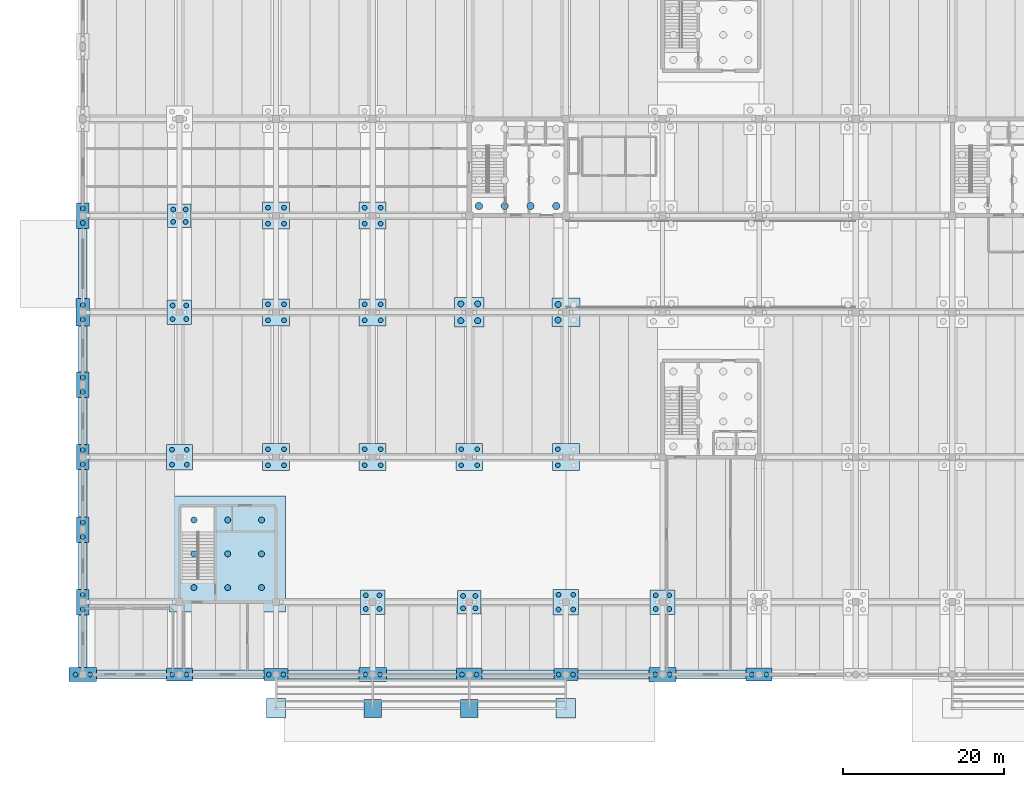
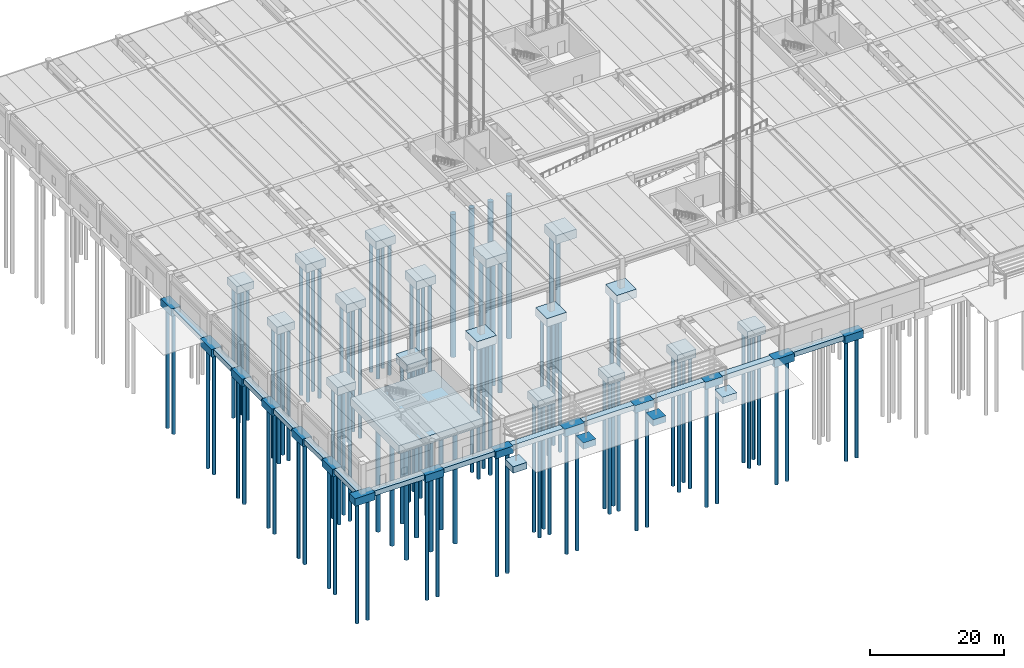
# One storey, part 1 of 59: 105 piles, 49 footings.
"""IFC4 building model written with IfcOpenShell, lengths in metres."""

import ifcopenshell
import ifcopenshell.guid

model = None  # the IFC model being written
_history = None  # IfcOwnerHistory: only IFC2X3 demands one
_inside = {}  # id of a spatial element -> (the spatial element, [elements in it])
_under = {}  # id of a project, library or spatial element -> (it, [spatial elements below it])
_declared = {}  # id of a project -> (the project, [libraries it declares])
_typed = {}  # id of a type object -> (the type object, [elements of that type])
_made_of = {}  # id of a material, layer set ... -> (it, [elements and type objects made of it])


def new_model(schema):
    """Start an empty IFC model of exactly this schema.

    Asked for "IFC4X3", IfcOpenShell would pick the latest addendum, in which some entities
    have other attributes; the version numbers below select the first issue.
    IFC2X3 requires an IfcOwnerHistory on every rooted entity: one is made here for all.
    """
    global model, _history
    if schema == "IFC4X3":
        model = ifcopenshell.file(schema_version=(4, 3, 0, 0))
    else:
        model = ifcopenshell.file(schema=schema)
    _inside.clear()
    _under.clear()
    _declared.clear()
    _typed.clear()
    _made_of.clear()
    _history = None
    if model.schema == "IFC2X3":
        org = make("IfcOrganization", Name="unknown")
        user = make(
            "IfcPersonAndOrganization",
            ThePerson=make("IfcPerson", FamilyName="unknown"),
            TheOrganization=org,
        )
        app = make(
            "IfcApplication",
            ApplicationDeveloper=org,
            Version="unknown",
            ApplicationFullName="unknown",
            ApplicationIdentifier="unknown",
        )
        _history = make(
            "IfcOwnerHistory",
            OwningUser=user,
            OwningApplication=app,
            ChangeAction="ADDED",
            CreationDate=0,
        )
    return model


def make(cls, **values):
    """One entity of the class cls with the attributes given. An attribute that is None is left unset."""
    return model.create_entity(
        cls, **{name: value for name, value in values.items() if value is not None}
    )


def rooted(cls, **values):
    """An entity with a GlobalId (a new one), such as an element, a storey or a relation."""
    return make(cls, GlobalId=ifcopenshell.guid.new(), OwnerHistory=_history, **values)


def si_unit(unit_type, name, prefix=None):
    """IfcSIUnit, for example si_unit("LENGTHUNIT", "METRE", prefix="MILLI")."""
    return make("IfcSIUnit", UnitType=unit_type, Prefix=prefix, Name=name)


def assignment(units):
    """IfcUnitAssignment: the units of a project."""
    return None if units is None else make("IfcUnitAssignment", Units=units)


def point(xyz):
    """IfcCartesianPoint."""
    return None if xyz is None else make("IfcCartesianPoint", Coordinates=xyz)


def direction(xyz):
    """IfcDirection."""
    return None if xyz is None else make("IfcDirection", DirectionRatios=xyz)


def frame(location, z_axis=None, x_axis=None):
    """IfcAxis2Placement3D, a coordinate frame: its origin and axes. An axis left out is left unset."""
    return make(
        "IfcAxis2Placement3D",
        Location=point(location),
        Axis=direction(z_axis),
        RefDirection=direction(x_axis),
    )


def frame_2d(location, x_axis=None):
    """IfcAxis2Placement2D, a coordinate frame in the plane: its origin and x axis."""
    return make(
        "IfcAxis2Placement2D", Location=point(location), RefDirection=direction(x_axis)
    )


def origin():
    """The frame at (0, 0, 0) with its axes left unset."""
    return frame((0.0, 0.0, 0.0))


def origin_2d():
    """The frame at (0, 0) in the plane with its x axis left unset."""
    return frame_2d((0.0, 0.0))


def place(relative_to, where):
    """IfcLocalPlacement: puts the frame where relative to a parent placement (None: the world)."""
    return make(
        "IfcLocalPlacement", PlacementRelTo=relative_to, RelativePlacement=where
    )


def context(
    kind, dimensions, precision=None, world=None, true_north=None, identifier=None
):
    """IfcGeometricRepresentationContext, for example the 3D "Model" context."""
    return make(
        "IfcGeometricRepresentationContext",
        ContextIdentifier=identifier,
        ContextType=kind,
        CoordinateSpaceDimension=dimensions,
        Precision=precision,
        WorldCoordinateSystem=world,
        TrueNorth=true_north,
    )


def subcontext(parent, identifier, kind, view, scale=None):
    """IfcGeometricRepresentationSubContext, for example "Body" below "Model"."""
    return make(
        "IfcGeometricRepresentationSubContext",
        ContextIdentifier=identifier,
        ContextType=kind,
        ParentContext=parent,
        TargetScale=scale,
        TargetView=view,
    )


def project(units=None, contexts=None):
    """IfcProject with its units and contexts."""
    return rooted(
        "IfcProject",
        Name="project",
        RepresentationContexts=contexts,
        UnitsInContext=assignment(units),
    )


def spatial(cls, under=None, at=None, **own):
    """A site, building, storey or space (cls), placed at a placement, below another one or the project."""
    s = rooted(cls, ObjectPlacement=at, **own)
    if under is not None:
        _under.setdefault(under.id(), (under, []))[1].append(s)
    return s


def profile(cls, at=None, kind="AREA", **sizes):
    """A parametric profile (cls). Its sizes go by their IFC names, for example OverallWidth=200.0."""
    return make(cls, ProfileType=kind, Position=at, **sizes)


def rectangle(**sizes):
    """IfcRectangleProfileDef."""
    return profile("IfcRectangleProfileDef", **sizes)


def circle(**sizes):
    """IfcCircleProfileDef."""
    return profile("IfcCircleProfileDef", **sizes)


def extrude(swept, where, along, depth):
    """IfcExtrudedAreaSolid: the profile swept, set in the frame where, extruded along a direction by depth."""
    return make(
        "IfcExtrudedAreaSolid",
        SweptArea=swept,
        Position=where,
        ExtrudedDirection=direction(along),
        Depth=depth,
    )


def shape(context_of_items, identifier, shape_type, items):
    """IfcShapeRepresentation: the items that make up one representation, for example the "Body"."""
    return make(
        "IfcShapeRepresentation",
        ContextOfItems=context_of_items,
        RepresentationIdentifier=identifier,
        RepresentationType=shape_type,
        Items=items,
    )


def material(Name=None, Category=None):
    """IfcMaterial."""
    return make("IfcMaterial", Name=Name, Category=Category)


def material_profile(
    of_material, cross_section, Name=None, Category=None, Priority=None
):
    """IfcMaterialProfile: a cross section and its material."""
    return make(
        "IfcMaterialProfile",
        Name=Name,
        Material=of_material,
        Profile=cross_section,
        Priority=Priority,
        Category=Category,
    )


def profile_set(profiles, Name=None, composite=None):
    """IfcMaterialProfileSet."""
    return make(
        "IfcMaterialProfileSet",
        Name=Name,
        MaterialProfiles=profiles,
        CompositeProfile=composite,
    )


def made_of(thing, what):
    """Note that an element or type object is made of a material, layer set ...; save() writes the relation."""
    if what is not None:
        _made_of.setdefault(what.id(), (what, []))[1].append(thing)
    return thing


def type_object(cls, material=None, **own):
    """A type object (cls), such as IfcWallType, which elements share."""
    return made_of(rooted(cls, **own), material)


def element(
    cls,
    number,
    at=None,
    inside=None,
    cuts=None,
    type_object=None,
    material=None,
    context=None,
    identifier="Body",
    shape_type=None,
    held_by="IfcProductDefinitionShape",
    body=None,
    shapes=None,
    **own,
):
    """One element of the class cls, such as IfcWall. Its Tag is "e" and its number.

    at: its placement. inside: the storey or other place that contains it. cuts: it is an
    opening in that element (IfcRelVoidsElement). A single representation is given by context,
    identifier, shape_type and body (its items); several are given by shapes. held_by: the class
    of the entity that holds the representations. save() writes the other relations.
    """
    e = rooted(cls, Tag="e%d" % number, ObjectPlacement=at, **own)
    if body is not None:
        shapes = [shape(context, identifier, shape_type, body)]
    if shapes is not None:
        e.Representation = make(held_by, Representations=shapes)
    if inside is not None:
        _inside.setdefault(inside.id(), (inside, []))[1].append(e)
    if cuts is not None:
        rooted(
            "IfcRelVoidsElement", RelatingBuildingElement=cuts, RelatedOpeningElement=e
        )
    if type_object is not None:
        _typed.setdefault(type_object.id(), (type_object, []))[1].append(e)
    return made_of(e, material)


def aggregate(whole, parts):
    """IfcRelAggregates: a whole, such as a stair, and the parts it consists of."""
    return rooted("IfcRelAggregates", RelatingObject=whole, RelatedObjects=parts)


def save(model, path):
    """Write the relations noted so far, then the file.

    IfcRelAggregates (storeys below a building ...), IfcRelContainedInSpatialStructure (elements
    in a storey), IfcRelDefinesByType, IfcRelAssociatesMaterial and IfcRelDeclares: one each for
    every whole, place, type object, material and project.
    """
    for whole, parts in _under.values():
        aggregate(whole, parts)
    for where, things in _inside.values():
        rooted(
            "IfcRelContainedInSpatialStructure",
            RelatedElements=things,
            RelatingStructure=where,
        )
    for kind, things in _typed.values():
        rooted("IfcRelDefinesByType", RelatedObjects=things, RelatingType=kind)
    for what, things in _made_of.values():
        rooted("IfcRelAssociatesMaterial", RelatedObjects=things, RelatingMaterial=what)
    for by, libraries in _declared.values():
        rooted("IfcRelDeclares", RelatingContext=by, RelatedDefinitions=libraries)
    model.write(path)


model = new_model("IFC4")

# Units and contexts
model_context = context("Model", 3, precision=1e-05, world=origin(), true_north=direction((0.0, 1.0)))
body_context = subcontext(model_context, "Body", "Model", "MODEL_VIEW")
ifc_project = project(units=[si_unit("LENGTHUNIT", "METRE"), si_unit("AREAUNIT", "SQUARE_METRE"), si_unit("VOLUMEUNIT", "CUBIC_METRE"), si_unit("PLANEANGLEUNIT", "RADIAN"), si_unit("MASSUNIT", "GRAM", prefix="KILO")], contexts=[model_context])

# Site, building, storey
site_placement = place(None, origin())
site = spatial("IfcSite", under=ifc_project, at=site_placement, CompositionType="ELEMENT")
building_placement = place(site_placement, origin())
building = spatial("IfcBuilding", under=site, at=building_placement, Name="Girod Span Mobility Hub", CompositionType="ELEMENT")
storey_placement = place(building_placement, origin())
storey = spatial("IfcBuildingStorey", under=building, at=storey_placement, Name="L00", CompositionType="ELEMENT", Elevation=0.0)

# Footings
ifc_material_1 = material(Name="Concrete C40/50", Category="concrete")
footing_type_1 = type_object("IfcFootingType", Name="FT-MAT-1440", PredefinedType="PAD_FOOTING", material=ifc_material_1)
footing_1_placement = place(storey_placement, frame((18.0, 15.0, -1.5), z_axis=(0.0, 0.0, 1.0), x_axis=(1.0, 0.0, 0.0)))
element("IfcFooting", 1, at=footing_1_placement, inside=storey, type_object=footing_type_1, Name="Core C5 Mat Foundation", PredefinedType="PAD_FOOTING", context=body_context, shape_type="SweptSolid", body=[
    extrude(rectangle(XDim=14.39990234375, YDim=14.39990234375, at=origin_2d()), origin(), (0.0, 0.0, 1.0), 1.5),
])
ifc_material_2 = material(Name="Concrete C40/50", Category="concrete")
footing_type_2 = type_object("IfcFootingType", Name="FT-PAD-2200", PredefinedType="PAD_FOOTING", material=ifc_material_2)
for number, where, z_axis, x_axis, name in (
    (2, (36.0, -4.199951171875, -1.14990234375), (0.0, 0.0, 1.0), (1.0, 0.0, 0.0), "Boulevard Canopy Pad Footing 2"),
    (3, (48.0, -4.199951171875, -1.14990234375), (0.0, 0.0, 1.0), (1.0, 0.0, 0.0), "Boulevard Canopy Pad Footing 3"),
):
    element("IfcFooting", number, at=place(storey_placement, frame(where, z_axis=z_axis, x_axis=x_axis)), inside=storey, type_object=footing_type_2, Name=name, PredefinedType="PAD_FOOTING", context=body_context, shape_type="SweptSolid", body=[
        extrude(rectangle(XDim=2.199951171875, YDim=2.199951171875, at=origin_2d()), origin(), (0.0, 0.0, 1.0), 1.14990234375),
    ])
ifc_material_3 = material(Name="Concrete C40/50", Category="concrete")
footing_type_3 = type_object("IfcFootingType", Name="FT-PAD-2400", PredefinedType="PAD_FOOTING", material=ifc_material_3)
for number, where, z_axis, x_axis, name in (
    (4, (24.0, -4.199951171875, -1.2001953125), (0.0, 0.0, 1.0), (1.0, 0.0, 0.0), "Boulevard Canopy Pad Footing 1"),
    (5, (60.0, -4.199951171875, -1.2001953125), (0.0, 0.0, 1.0), (1.0, 0.0, 0.0), "Boulevard Canopy Pad Footing 4"),
):
    element("IfcFooting", number, at=place(storey_placement, frame(where, z_axis=z_axis, x_axis=x_axis)), inside=storey, type_object=footing_type_3, Name=name, PredefinedType="PAD_FOOTING", context=body_context, shape_type="SweptSolid", body=[
        extrude(rectangle(XDim=2.39990234375, YDim=2.39990234375, at=origin_2d()), origin(), (0.0, 0.0, 1.0), 1.199951171875),
    ])
ifc_material_4 = material(Name="Concrete C40/50", Category="concrete")
footing_type_4 = type_object("IfcFootingType", Name="FT-PC2-1550X3100", PredefinedType="PILE_CAP", material=ifc_material_4)
footing_2_placement = place(storey_placement, frame((0.0, 27.0, -1.2998046875), z_axis=(0.0, 0.0, 1.0), x_axis=(1.0, 0.0, 0.0)))
element("IfcFooting", 6, at=footing_2_placement, inside=storey, type_object=footing_type_4, Name="Pile Cap 1C", PredefinedType="PILE_CAP", context=body_context, shape_type="SweptSolid", body=[
    extrude(rectangle(XDim=1.550048828125, YDim=3.10009765625, at=origin_2d()), origin(), (0.0, 0.0, 1.0), 1.300048828125),
])
ifc_material_5 = material(Name="Concrete C40/50", Category="concrete")
footing_type_5 = type_object("IfcFootingType", Name="FT-PC2-1600X3200", PredefinedType="PILE_CAP", material=ifc_material_5)
for number, where, z_axis, x_axis, name in (
    (7, (0.0, 9.0, -1.35009765625), (0.0, 0.0, 1.0), (1.0, 0.0, 0.0), "Pile Cap 1B"),
    (8, (0.0, 57.0, -1.35009765625), (0.0, 0.0, 1.0), (1.0, 0.0, 0.0), "Pile Cap 1E"),
    (9, (0.0, 18.0, -1.35009765625), (0.0, 0.0, 1.0), (1.0, 0.0, 0.0), "Pilaster Pile Cap PIL-W-18"),
    (10, (0.0, 36.0, -1.35009765625), (0.0, 0.0, 1.0), (1.0, 0.0, 0.0), "Pilaster Pile Cap PIL-W-36"),
):
    element("IfcFooting", number, at=place(storey_placement, frame(where, z_axis=z_axis, x_axis=x_axis)), inside=storey, type_object=footing_type_5, Name=name, PredefinedType="PILE_CAP", context=body_context, shape_type="SweptSolid", body=[
        extrude(rectangle(XDim=1.60009765625, YDim=3.199951171875, at=origin_2d()), origin(), (0.0, 0.0, 1.0), 1.35009765625),
    ])
ifc_material_6 = material(Name="Concrete C40/50", Category="concrete")
footing_type_6 = type_object("IfcFootingType", Name="FT-PC2-1700X3400", PredefinedType="PILE_CAP", material=ifc_material_6)
footing_3_placement = place(storey_placement, frame((0.0, 45.0, -1.39990234375), z_axis=(0.0, 0.0, 1.0), x_axis=(1.0, 0.0, 0.0)))
element("IfcFooting", 11, at=footing_3_placement, inside=storey, type_object=footing_type_6, Name="Pile Cap 1D", PredefinedType="PILE_CAP", context=body_context, shape_type="SweptSolid", body=[
    extrude(rectangle(XDim=1.699951171875, YDim=3.39990234375, at=origin_2d()), origin(), (0.0, 0.0, 1.0), 1.39990234375),
])
ifc_material_7 = material(Name="Concrete C40/50", Category="concrete")
footing_type_7 = type_object("IfcFootingType", Name="FT-PC2-3000X1500", PredefinedType="PILE_CAP", material=ifc_material_7)
for number, where, z_axis, x_axis, name in (
    (12, (24.0, 0.0, -1.2998046875), (0.0, 0.0, 1.0), (1.0, 0.0, 0.0), "Pile Cap 3A"),
    (13, (60.0, 0.0, -1.2998046875), (0.0, 0.0, 1.0), (1.0, 0.0, 0.0), "Pile Cap 6A"),
):
    element("IfcFooting", number, at=place(storey_placement, frame(where, z_axis=z_axis, x_axis=x_axis)), inside=storey, type_object=footing_type_7, Name=name, PredefinedType="PILE_CAP", context=body_context, shape_type="SweptSolid", body=[
        extrude(rectangle(XDim=3.0, YDim=1.5, at=origin_2d()), origin(), (0.0, 0.0, 1.0), 1.300048828125),
    ])
ifc_material_8 = material(Name="Concrete C40/50", Category="concrete")
footing_type_8 = type_object("IfcFootingType", Name="FT-PC2-3200X1600", PredefinedType="PILE_CAP", material=ifc_material_8)
for number, where, z_axis, x_axis, name in (
    (14, (12.0, 0.0, -1.35009765625), (0.0, 0.0, 1.0), (1.0, 0.0, 0.0), "Pile Cap 2A"),
    (15, (48.0, 0.0, -1.35009765625), (0.0, 0.0, 1.0), (1.0, 0.0, 0.0), "Pile Cap 5A"),
    (16, (84.0, 0.0, -1.35009765625), (0.0, 0.0, 1.0), (1.0, 0.0, 0.0), "Pile Cap 8A"),
):
    element("IfcFooting", number, at=place(storey_placement, frame(where, z_axis=z_axis, x_axis=x_axis)), inside=storey, type_object=footing_type_8, Name=name, PredefinedType="PILE_CAP", context=body_context, shape_type="SweptSolid", body=[
        extrude(rectangle(XDim=3.199951171875, YDim=1.60009765625, at=origin_2d()), origin(), (0.0, 0.0, 1.0), 1.35009765625),
    ])
ifc_material_9 = material(Name="Concrete C40/50", Category="concrete")
footing_type_9 = type_object("IfcFootingType", Name="FT-PC2-3400X1700", PredefinedType="PILE_CAP", material=ifc_material_9)
for number, where, z_axis, x_axis, name in (
    (17, (0.0, 0.0, -1.39990234375), (0.0, 0.0, 1.0), (1.0, 0.0, 0.0), "Pile Cap 1A"),
    (18, (36.0, 0.0, -1.39990234375), (0.0, 0.0, 1.0), (1.0, 0.0, 0.0), "Pile Cap 4A"),
    (19, (72.0, 0.0, -1.39990234375), (0.0, 0.0, 1.0), (1.0, 0.0, 0.0), "Pile Cap 7A"),
):
    element("IfcFooting", number, at=place(storey_placement, frame(where, z_axis=z_axis, x_axis=x_axis)), inside=storey, type_object=footing_type_9, Name=name, PredefinedType="PILE_CAP", context=body_context, shape_type="SweptSolid", body=[
        extrude(rectangle(XDim=3.39990234375, YDim=1.699951171875, at=origin_2d()), origin(), (0.0, 0.0, 1.0), 1.39990234375),
    ])
ifc_material_10 = material(Name="Concrete C40/50", Category="concrete")
footing_type_10 = type_object("IfcFootingType", Name="FT-PC4-2900", PredefinedType="PILE_CAP", material=ifc_material_10)
for number, where, z_axis, x_axis, name in (
    (20, (12.0, 57.0, -1.35009765625), (0.0, 0.0, 1.0), (1.0, 0.0, 0.0), "Pile Cap 2E"),
    (21, (48.0, 9.0, -1.35009765625), (0.0, 0.0, 1.0), (1.0, 0.0, 0.0), "Pile Cap 5B"),
):
    element("IfcFooting", number, at=place(storey_placement, frame(where, z_axis=z_axis, x_axis=x_axis)), inside=storey, type_object=footing_type_10, Name=name, PredefinedType="PILE_CAP", context=body_context, shape_type="SweptSolid", body=[
        extrude(rectangle(XDim=2.89990234375, YDim=2.89990234375, at=origin_2d()), origin(), (0.0, 0.0, 1.0), 1.35009765625),
    ])
ifc_material_11 = material(Name="Concrete C40/50", Category="concrete")
footing_type_11 = type_object("IfcFootingType", Name="FT-PC4-3050", PredefinedType="PILE_CAP", material=ifc_material_11)
for number, where, z_axis, x_axis, name in (
    (22, (12.0, 45.0, -1.39990234375), (0.0, 0.0, 1.0), (1.0, 0.0, 0.0), "Pile Cap 2D"),
    (23, (36.0, 9.0, -1.39990234375), (0.0, 0.0, 1.0), (1.0, 0.0, 0.0), "Pile Cap 4B"),
    (24, (72.0, 9.0, -1.39990234375), (0.0, 0.0, 1.0), (1.0, 0.0, 0.0), "Pile Cap 7B"),
):
    element("IfcFooting", number, at=place(storey_placement, frame(where, z_axis=z_axis, x_axis=x_axis)), inside=storey, type_object=footing_type_11, Name=name, PredefinedType="PILE_CAP", context=body_context, shape_type="SweptSolid", body=[
        extrude(rectangle(XDim=3.050048828125, YDim=3.050048828125, at=origin_2d()), origin(), (0.0, 0.0, 1.0), 1.39990234375),
    ])
ifc_material_12 = material(Name="Concrete C40/50", Category="concrete")
footing_type_12 = type_object("IfcFootingType", Name="FT-PC4-3200", PredefinedType="PILE_CAP", material=ifc_material_12)
for number, where, z_axis, x_axis, name in (
    (25, (12.0, 27.0, -1.4501953125), (0.0, 0.0, 1.0), (1.0, 0.0, 0.0), "Pile Cap 2C"),
    (26, (60.0, 9.0, -1.4501953125), (0.0, 0.0, 1.0), (1.0, 0.0, 0.0), "Pile Cap 6B"),
):
    element("IfcFooting", number, at=place(storey_placement, frame(where, z_axis=z_axis, x_axis=x_axis)), inside=storey, type_object=footing_type_12, Name=name, PredefinedType="PILE_CAP", context=body_context, shape_type="SweptSolid", body=[
        extrude(rectangle(XDim=3.199951171875, YDim=3.199951171875, at=origin_2d()), origin(), (0.0, 0.0, 1.0), 1.449951171875),
    ])
ifc_material_13 = material(Name="Concrete C40/50", Category="concrete")
footing_type_13 = type_object("IfcFootingType", Name="FT-PC4-3350", PredefinedType="PILE_CAP", material=ifc_material_13)
for number, where, z_axis, x_axis, name in (
    (27, (24.0, 27.0, -1.5), (0.0, 0.0, 1.0), (1.0, 0.0, 0.0), "Pile Cap 3C"),
    (28, (24.0, 45.0, -1.5), (0.0, 0.0, 1.0), (1.0, 0.0, 0.0), "Pile Cap 3D"),
    (29, (24.0, 57.0, -1.5), (0.0, 0.0, 1.0), (1.0, 0.0, 0.0), "Pile Cap 3E"),
    (30, (36.0, 27.0, -1.5), (0.0, 0.0, 1.0), (1.0, 0.0, 0.0), "Pile Cap 4C"),
    (31, (36.0, 45.0, -1.5), (0.0, 0.0, 1.0), (1.0, 0.0, 0.0), "Pile Cap 4D"),
    (32, (36.0, 57.0, -1.5), (0.0, 0.0, 1.0), (1.0, 0.0, 0.0), "Pile Cap 4E"),
    (33, (48.0, 27.0, -1.5), (0.0, 0.0, 1.0), (1.0, 0.0, 0.0), "Pile Cap 5C"),
    (34, (60.0, 27.0, -1.5), (0.0, 0.0, 1.0), (1.0, 0.0, 0.0), "Pile Cap 6C"),
):
    element("IfcFooting", number, at=place(storey_placement, frame(where, z_axis=z_axis, x_axis=x_axis)), inside=storey, type_object=footing_type_13, Name=name, PredefinedType="PILE_CAP", context=body_context, shape_type="SweptSolid", body=[
        extrude(rectangle(XDim=3.35009765625, YDim=3.35009765625, at=origin_2d()), origin(), (0.0, 0.0, 1.0), 1.5),
    ])
ifc_material_14 = material(Name="Concrete C40/50", Category="concrete")
footing_type_14 = type_object("IfcFootingType", Name="FT-PC4-3500", PredefinedType="PILE_CAP", material=ifc_material_14)
footing_4_placement = place(storey_placement, frame((60.0, 45.0, -1.5498046875), z_axis=(0.0, 0.0, 1.0), x_axis=(1.0, 0.0, 0.0)))
element("IfcFooting", 35, at=footing_4_placement, inside=storey, type_object=footing_type_14, Name="Pile Cap 6D", PredefinedType="PILE_CAP", context=body_context, shape_type="SweptSolid", body=[
    extrude(rectangle(XDim=3.5, YDim=3.5, at=origin_2d()), origin(), (0.0, 0.0, 1.0), 1.550048828125),
])
ifc_material_15 = material(Name="Concrete C40/50", Category="concrete")
footing_type_15 = type_object("IfcFootingType", Name="FT-PC4-3650", PredefinedType="PILE_CAP", material=ifc_material_15)
footing_5_placement = place(storey_placement, frame((48.0, 45.0, -1.60009765625), z_axis=(0.0, 0.0, 1.0), x_axis=(1.0, 0.0, 0.0)))
element("IfcFooting", 36, at=footing_5_placement, inside=storey, type_object=footing_type_15, Name="Pile Cap 5D", PredefinedType="PILE_CAP", context=body_context, shape_type="SweptSolid", body=[
    extrude(rectangle(XDim=3.64990234375, YDim=3.64990234375, at=origin_2d()), origin(), (0.0, 0.0, 1.0), 1.60009765625),
])
ifc_material_16 = material(Name="Concrete C40/50", Category="concrete")
footing_type_16 = type_object("IfcFootingType", Name="FT-SF-X900", PredefinedType="STRIP_FOOTING", material=ifc_material_16)
footing_6_placement = place(storey_placement, frame((6.050048828125, 0.0, -0.89990234375), z_axis=(0.0, 0.0, 1.0), x_axis=(1.0, 0.0, 0.0)))
element("IfcFooting", 37, at=footing_6_placement, inside=storey, type_object=footing_type_16, Name="Perimeter Strip Footing SF-1", PredefinedType="STRIP_FOOTING", context=body_context, shape_type="SweptSolid", body=[
    extrude(rectangle(XDim=8.699951171875, YDim=1.10009765625, at=origin_2d()), origin(), (0.0, 0.0, 1.0), 0.89990234375),
])
footing_7_placement = place(storey_placement, frame((18.050048828125, 0.0, -0.89990234375), z_axis=(0.0, 0.0, 1.0), x_axis=(1.0, 0.0, 0.0)))
element("IfcFooting", 38, at=footing_7_placement, inside=storey, type_object=footing_type_16, Name="Perimeter Strip Footing SF-2", PredefinedType="STRIP_FOOTING", context=body_context, shape_type="SweptSolid", body=[
    extrude(rectangle(XDim=8.89990234375, YDim=1.10009765625, at=origin_2d()), origin(), (0.0, 0.0, 1.0), 0.89990234375),
])
footing_8_placement = place(storey_placement, frame((29.89990234375, 0.0, -0.89990234375), z_axis=(0.0, 0.0, 1.0), x_axis=(1.0, 0.0, 0.0)))
element("IfcFooting", 39, at=footing_8_placement, inside=storey, type_object=footing_type_16, Name="Perimeter Strip Footing SF-3", PredefinedType="STRIP_FOOTING", context=body_context, shape_type="SweptSolid", body=[
    extrude(rectangle(XDim=8.800048828125, YDim=1.10009765625, at=origin_2d()), origin(), (0.0, 0.0, 1.0), 0.89990234375),
])
footing_9_placement = place(storey_placement, frame((42.050048828125, 0.0, -0.89990234375), z_axis=(0.0, 0.0, 1.0), x_axis=(1.0, 0.0, 0.0)))
element("IfcFooting", 40, at=footing_9_placement, inside=storey, type_object=footing_type_16, Name="Perimeter Strip Footing SF-4", PredefinedType="STRIP_FOOTING", context=body_context, shape_type="SweptSolid", body=[
    extrude(rectangle(XDim=8.699951171875, YDim=1.10009765625, at=origin_2d()), origin(), (0.0, 0.0, 1.0), 0.89990234375),
])
footing_10_placement = place(storey_placement, frame((54.050048828125, 0.0, -0.89990234375), z_axis=(0.0, 0.0, 1.0), x_axis=(1.0, 0.0, 0.0)))
element("IfcFooting", 41, at=footing_10_placement, inside=storey, type_object=footing_type_16, Name="Perimeter Strip Footing SF-5", PredefinedType="STRIP_FOOTING", context=body_context, shape_type="SweptSolid", body=[
    extrude(rectangle(XDim=8.89990234375, YDim=1.10009765625, at=origin_2d()), origin(), (0.0, 0.0, 1.0), 0.89990234375),
])
footing_11_placement = place(storey_placement, frame((65.89990234375, 0.0, -0.89990234375), z_axis=(0.0, 0.0, 1.0), x_axis=(1.0, 0.0, 0.0)))
element("IfcFooting", 42, at=footing_11_placement, inside=storey, type_object=footing_type_16, Name="Perimeter Strip Footing SF-6", PredefinedType="STRIP_FOOTING", context=body_context, shape_type="SweptSolid", body=[
    extrude(rectangle(XDim=8.800048828125, YDim=1.10009765625, at=origin_2d()), origin(), (0.0, 0.0, 1.0), 0.89990234375),
])
footing_12_placement = place(storey_placement, frame((78.050048828125, 0.0, -0.89990234375), z_axis=(0.0, 0.0, 1.0), x_axis=(1.0, 0.0, 0.0)))
element("IfcFooting", 43, at=footing_12_placement, inside=storey, type_object=footing_type_16, Name="Perimeter Strip Footing SF-7", PredefinedType="STRIP_FOOTING", context=body_context, shape_type="SweptSolid", body=[
    extrude(rectangle(XDim=8.699951171875, YDim=1.10009765625, at=origin_2d()), origin(), (0.0, 0.0, 1.0), 0.89990234375),
])
ifc_material_17 = material(Name="Concrete C40/50", Category="concrete")
footing_type_17 = type_object("IfcFootingType", Name="FT-SF-Y850", PredefinedType="STRIP_FOOTING", material=ifc_material_17)
footing_13_placement = place(storey_placement, frame((0.0, 51.050048828125, -0.85009765625), z_axis=(0.0, 0.0, 1.0), x_axis=(1.0, 0.0, 0.0)))
element("IfcFooting", 44, at=footing_13_placement, inside=storey, type_object=footing_type_17, Name="Perimeter Strip Footing SF-34", PredefinedType="STRIP_FOOTING", context=body_context, shape_type="SweptSolid", body=[
    extrude(rectangle(XDim=1.050048828125, YDim=8.699951171875, at=origin_2d()), origin(), (0.0, 0.0, 1.0), 0.85009765625),
])
ifc_material_18 = material(Name="Concrete C40/50", Category="concrete")
footing_type_18 = type_object("IfcFootingType", Name="FT-SF-Y900", PredefinedType="STRIP_FOOTING", material=ifc_material_18)
footing_14_placement = place(storey_placement, frame((0.0, 4.125, -0.89990234375), z_axis=(0.0, 0.0, 1.0), x_axis=(1.0, 0.0, 0.0)))
element("IfcFooting", 45, at=footing_14_placement, inside=storey, type_object=footing_type_18, Name="Perimeter Strip Footing SF-29", PredefinedType="STRIP_FOOTING", context=body_context, shape_type="SweptSolid", body=[
    extrude(rectangle(XDim=1.10009765625, YDim=6.550048828125, at=origin_2d()), origin(), (0.0, 0.0, 1.0), 0.89990234375),
])
footing_15_placement = place(storey_placement, frame((0.0, 13.5, -0.89990234375), z_axis=(0.0, 0.0, 1.0), x_axis=(1.0, 0.0, 0.0)))
element("IfcFooting", 46, at=footing_15_placement, inside=storey, type_object=footing_type_18, Name="Perimeter Strip Footing SF-30", PredefinedType="STRIP_FOOTING", context=body_context, shape_type="SweptSolid", body=[
    extrude(rectangle(XDim=1.10009765625, YDim=5.800048828125, at=origin_2d()), origin(), (0.0, 0.0, 1.0), 0.89990234375),
])
for number, where, z_axis, x_axis, name in (
    (47, (0.0, 22.52490234375, -0.89990234375), (0.0, 0.0, 1.0), (1.0, 0.0, 0.0), "Perimeter Strip Footing SF-31"),
    (48, (0.0, 31.47509765625, -0.89990234375), (0.0, 0.0, 1.0), (1.0, 0.0, 0.0), "Perimeter Strip Footing SF-32"),
):
    element("IfcFooting", number, at=place(storey_placement, frame(where, z_axis=z_axis, x_axis=x_axis)), inside=storey, type_object=footing_type_18, Name=name, PredefinedType="STRIP_FOOTING", context=body_context, shape_type="SweptSolid", body=[
        extrude(rectangle(XDim=1.10009765625, YDim=5.85009765625, at=origin_2d()), origin(), (0.0, 0.0, 1.0), 0.89990234375),
    ])
footing_16_placement = place(storey_placement, frame((0.0, 40.449951171875, -0.89990234375), z_axis=(0.0, 0.0, 1.0), x_axis=(1.0, 0.0, 0.0)))
element("IfcFooting", 49, at=footing_16_placement, inside=storey, type_object=footing_type_18, Name="Perimeter Strip Footing SF-33", PredefinedType="STRIP_FOOTING", context=body_context, shape_type="SweptSolid", body=[
    extrude(rectangle(XDim=1.10009765625, YDim=5.699951171875, at=origin_2d()), origin(), (0.0, 0.0, 1.0), 0.89990234375),
])

# Piles
ifc_material_19 = material(Name="Concrete C40/50", Category="concrete")
ifc_material_profile_1 = material_profile(ifc_material_19, circle(Radius=0.375, at=origin_2d()), Name="PILE-D750")
ifc_profile_set_1 = profile_set([ifc_material_profile_1], Name="Concrete C40/50")
pile_type_1 = type_object("IfcPileType", Name="PL-B750-22M", PredefinedType="BORED", material=ifc_profile_set_1)
for number, where, z_axis, x_axis, name in (
    (50, (13.800048828125, 10.800048828125, -1.39990234375), (0.0, 0.0, -1.0), (1.0, 0.0, 0.0), "Core C5 Bored Pile 1"),
    (51, (13.800048828125, 15.0, -1.39990234375), (0.0, 0.0, -1.0), (1.0, 0.0, 0.0), "Core C5 Bored Pile 2"),
    (52, (13.800048828125, 19.199951171875, -1.39990234375), (0.0, 0.0, -1.0), (1.0, 0.0, 0.0), "Core C5 Bored Pile 3"),
    (53, (18.0, 10.800048828125, -1.39990234375), (0.0, 0.0, -1.0), (1.0, 0.0, 0.0), "Core C5 Bored Pile 4"),
    (54, (18.0, 15.0, -1.39990234375), (0.0, 0.0, -1.0), (1.0, 0.0, 0.0), "Core C5 Bored Pile 5"),
    (55, (18.0, 19.199951171875, -1.39990234375), (0.0, 0.0, -1.0), (1.0, 0.0, 0.0), "Core C5 Bored Pile 6"),
    (56, (22.199951171875, 10.800048828125, -1.39990234375), (0.0, 0.0, -1.0), (1.0, 0.0, 0.0), "Core C5 Bored Pile 7"),
    (57, (22.199951171875, 15.0, -1.39990234375), (0.0, 0.0, -1.0), (1.0, 0.0, 0.0), "Core C5 Bored Pile 8"),
    (58, (22.199951171875, 19.199951171875, -1.39990234375), (0.0, 0.0, -1.0), (1.0, 0.0, 0.0), "Core C5 Bored Pile 9"),
):
    element("IfcPile", number, at=place(storey_placement, frame(where, z_axis=z_axis, x_axis=x_axis)), inside=storey, type_object=pile_type_1, Name=name, PredefinedType="BORED", context=body_context, shape_type="SweptSolid", body=[
        extrude(circle(Radius=0.375, at=origin_2d()), origin(), (0.0, 0.0, 1.0), 22.0),
    ])
ifc_material_20 = material(Name="Concrete C40/50", Category="concrete")
ifc_material_profile_2 = material_profile(ifc_material_20, circle(Radius=0.449951171875, at=origin_2d()), Name="PILE-D900")
ifc_profile_set_2 = profile_set([ifc_material_profile_2], Name="Concrete C40/50")
pile_type_2 = type_object("IfcPileType", Name="PL-B900-26M", PredefinedType="BORED", material=ifc_profile_set_2)
for number, where, z_axis, x_axis, name in (
    (59, (49.199951171875, 58.199951171875, -1.699951171875), (0.0, 0.0, -1.0), (1.0, 0.0, 0.0), "Core C1 Bored Pile 1"),
    (60, (52.39990234375, 58.199951171875, -1.699951171875), (0.0, 0.0, -1.0), (1.0, 0.0, 0.0), "Core C1 Bored Pile 5"),
    (61, (55.60009765625, 58.199951171875, -1.699951171875), (0.0, 0.0, -1.0), (1.0, 0.0, 0.0), "Core C1 Bored Pile 9"),
    (62, (58.800048828125, 58.199951171875, -1.699951171875), (0.0, 0.0, -1.0), (1.0, 0.0, 0.0), "Core C1 Bored Pile 13"),
):
    element("IfcPile", number, at=place(storey_placement, frame(where, z_axis=z_axis, x_axis=x_axis)), inside=storey, type_object=pile_type_2, Name=name, PredefinedType="BORED", context=body_context, shape_type="SweptSolid", body=[
        extrude(circle(Radius=0.449951171875, at=origin_2d()), origin(), (0.0, 0.0, 1.0), 26.0),
    ])
ifc_material_21 = material(Name="Concrete C40/50", Category="concrete")
ifc_material_profile_3 = material_profile(ifc_material_21, circle(Radius=0.300048828125, at=origin_2d()), Name="PILE-D600")
ifc_profile_set_3 = profile_set([ifc_material_profile_3], Name="Concrete C40/50")
pile_type_3 = type_object("IfcPileType", Name="PL-D600-22M", PredefinedType="DRIVEN", material=ifc_profile_set_3)
for number, where, z_axis, x_axis, name in (
    (63, (-0.89990234375, 0.0, -1.300048828125), (0.0, 0.0, -1.0), (1.0, 0.0, 0.0), "Driven Pile 1A-1"),
    (64, (0.89990234375, 0.0, -1.300048828125), (0.0, 0.0, -1.0), (1.0, 0.0, 0.0), "Driven Pile 1A-2"),
    (65, (0.0, 8.10009765625, -1.25), (0.0, 0.0, -1.0), (1.0, 0.0, 0.0), "Driven Pile 1B-1"),
    (66, (0.0, 9.89990234375, -1.25), (0.0, 0.0, -1.0), (1.0, 0.0, 0.0), "Driven Pile 1B-2"),
    (67, (0.0, 26.10009765625, -1.199951171875), (0.0, 0.0, -1.0), (1.0, 0.0, 0.0), "Driven Pile 1C-1"),
    (68, (0.0, 27.89990234375, -1.199951171875), (0.0, 0.0, -1.0), (1.0, 0.0, 0.0), "Driven Pile 1C-2"),
    (69, (0.0, 44.10009765625, -1.300048828125), (0.0, 0.0, -1.0), (1.0, 0.0, 0.0), "Driven Pile 1D-1"),
    (70, (0.0, 45.89990234375, -1.300048828125), (0.0, 0.0, -1.0), (1.0, 0.0, 0.0), "Driven Pile 1D-2"),
    (71, (0.0, 56.10009765625, -1.25), (0.0, 0.0, -1.0), (1.0, 0.0, 0.0), "Driven Pile 1E-1"),
    (72, (0.0, 57.89990234375, -1.25), (0.0, 0.0, -1.0), (1.0, 0.0, 0.0), "Driven Pile 1E-2"),
    (73, (11.10009765625, 0.0, -1.25), (0.0, 0.0, -1.0), (1.0, 0.0, 0.0), "Driven Pile 2A-1"),
    (74, (12.89990234375, 0.0, -1.25), (0.0, 0.0, -1.0), (1.0, 0.0, 0.0), "Driven Pile 2A-2"),
    (75, (23.10009765625, 0.0, -1.199951171875), (0.0, 0.0, -1.0), (1.0, 0.0, 0.0), "Driven Pile 3A-1"),
    (76, (24.89990234375, 0.0, -1.199951171875), (0.0, 0.0, -1.0), (1.0, 0.0, 0.0), "Driven Pile 3A-2"),
    (77, (35.10009765625, 0.0, -1.300048828125), (0.0, 0.0, -1.0), (1.0, 0.0, 0.0), "Driven Pile 4A-1"),
    (78, (36.89990234375, 0.0, -1.300048828125), (0.0, 0.0, -1.0), (1.0, 0.0, 0.0), "Driven Pile 4A-2"),
    (79, (47.10009765625, 0.0, -1.25), (0.0, 0.0, -1.0), (1.0, 0.0, 0.0), "Driven Pile 5A-1"),
    (80, (48.89990234375, 0.0, -1.25), (0.0, 0.0, -1.0), (1.0, 0.0, 0.0), "Driven Pile 5A-2"),
    (81, (59.10009765625, 0.0, -1.199951171875), (0.0, 0.0, -1.0), (1.0, 0.0, 0.0), "Driven Pile 6A-1"),
    (82, (60.89990234375, 0.0, -1.199951171875), (0.0, 0.0, -1.0), (1.0, 0.0, 0.0), "Driven Pile 6A-2"),
    (83, (71.10009765625, 0.0, -1.300048828125), (0.0, 0.0, -1.0), (1.0, 0.0, 0.0), "Driven Pile 7A-1"),
    (84, (72.89990234375, 0.0, -1.300048828125), (0.0, 0.0, -1.0), (1.0, 0.0, 0.0), "Driven Pile 7A-2"),
    (85, (83.10009765625, 0.0, -1.25), (0.0, 0.0, -1.0), (1.0, 0.0, 0.0), "Driven Pile 8A-1"),
    (86, (84.89990234375, 0.0, -1.25), (0.0, 0.0, -1.0), (1.0, 0.0, 0.0), "Driven Pile 8A-2"),
    (87, (0.0, 17.10009765625, -1.25), (0.0, 0.0, -1.0), (1.0, 0.0, 0.0), "Pilaster Driven Pile PIL-W-18-1"),
    (88, (0.0, 18.89990234375, -1.25), (0.0, 0.0, -1.0), (1.0, 0.0, 0.0), "Pilaster Driven Pile PIL-W-18-2"),
    (89, (0.0, 35.10009765625, -1.25), (0.0, 0.0, -1.0), (1.0, 0.0, 0.0), "Pilaster Driven Pile PIL-W-36-1"),
    (90, (0.0, 36.89990234375, -1.25), (0.0, 0.0, -1.0), (1.0, 0.0, 0.0), "Pilaster Driven Pile PIL-W-36-2"),
):
    element("IfcPile", number, at=place(storey_placement, frame(where, z_axis=z_axis, x_axis=x_axis)), inside=storey, type_object=pile_type_3, Name=name, PredefinedType="DRIVEN", context=body_context, shape_type="SweptSolid", body=[
        extrude(circle(Radius=0.300048828125, at=origin_2d()), origin(), (0.0, 0.0, 1.0), 22.0),
    ])
ifc_material_22 = material(Name="Concrete C40/50", Category="concrete")
ifc_material_profile_4 = material_profile(ifc_material_22, circle(Radius=0.300048828125, at=origin_2d()), Name="PILE-D600")
ifc_profile_set_4 = profile_set([ifc_material_profile_4], Name="Concrete C40/50")
pile_type_4 = type_object("IfcPileType", Name="PL-D600-24M", PredefinedType="DRIVEN", material=ifc_profile_set_4)
for number, where, z_axis, x_axis, name in (
    (91, (11.080078125, 26.080078125, -1.35009765625), (0.0, 0.0, -1.0), (1.0, 0.0, 0.0), "Driven Pile 2C-1"),
    (92, (12.919921875, 26.080078125, -1.35009765625), (0.0, 0.0, -1.0), (1.0, 0.0, 0.0), "Driven Pile 2C-2"),
    (93, (11.080078125, 27.919921875, -1.35009765625), (0.0, 0.0, -1.0), (1.0, 0.0, 0.0), "Driven Pile 2C-3"),
    (94, (12.919921875, 27.919921875, -1.35009765625), (0.0, 0.0, -1.0), (1.0, 0.0, 0.0), "Driven Pile 2C-4"),
    (95, (11.155029296875, 44.155029296875, -1.300048828125), (0.0, 0.0, -1.0), (1.0, 0.0, 0.0), "Driven Pile 2D-1"),
    (96, (12.844970703125, 44.155029296875, -1.300048828125), (0.0, 0.0, -1.0), (1.0, 0.0, 0.0), "Driven Pile 2D-2"),
    (97, (11.155029296875, 45.844970703125, -1.300048828125), (0.0, 0.0, -1.0), (1.0, 0.0, 0.0), "Driven Pile 2D-3"),
    (98, (12.844970703125, 45.844970703125, -1.300048828125), (0.0, 0.0, -1.0), (1.0, 0.0, 0.0), "Driven Pile 2D-4"),
    (99, (11.22998046875, 56.22998046875, -1.25), (0.0, 0.0, -1.0), (1.0, 0.0, 0.0), "Driven Pile 2E-1"),
    (100, (12.77001953125, 56.22998046875, -1.25), (0.0, 0.0, -1.0), (1.0, 0.0, 0.0), "Driven Pile 2E-2"),
    (101, (11.22998046875, 57.77001953125, -1.25), (0.0, 0.0, -1.0), (1.0, 0.0, 0.0), "Driven Pile 2E-3"),
    (102, (12.77001953125, 57.77001953125, -1.25), (0.0, 0.0, -1.0), (1.0, 0.0, 0.0), "Driven Pile 2E-4"),
    (103, (23.0048828125, 26.0048828125, -1.39990234375), (0.0, 0.0, -1.0), (1.0, 0.0, 0.0), "Driven Pile 3C-1"),
    (104, (24.9951171875, 26.0048828125, -1.39990234375), (0.0, 0.0, -1.0), (1.0, 0.0, 0.0), "Driven Pile 3C-2"),
    (105, (23.0048828125, 27.9951171875, -1.39990234375), (0.0, 0.0, -1.0), (1.0, 0.0, 0.0), "Driven Pile 3C-3"),
    (106, (24.9951171875, 27.9951171875, -1.39990234375), (0.0, 0.0, -1.0), (1.0, 0.0, 0.0), "Driven Pile 3C-4"),
    (107, (23.0048828125, 44.0048828125, -1.39990234375), (0.0, 0.0, -1.0), (1.0, 0.0, 0.0), "Driven Pile 3D-1"),
    (108, (24.9951171875, 44.0048828125, -1.39990234375), (0.0, 0.0, -1.0), (1.0, 0.0, 0.0), "Driven Pile 3D-2"),
    (109, (23.0048828125, 45.9951171875, -1.39990234375), (0.0, 0.0, -1.0), (1.0, 0.0, 0.0), "Driven Pile 3D-3"),
    (110, (24.9951171875, 45.9951171875, -1.39990234375), (0.0, 0.0, -1.0), (1.0, 0.0, 0.0), "Driven Pile 3D-4"),
    (111, (23.0048828125, 56.0048828125, -1.39990234375), (0.0, 0.0, -1.0), (1.0, 0.0, 0.0), "Driven Pile 3E-1"),
    (112, (24.9951171875, 56.0048828125, -1.39990234375), (0.0, 0.0, -1.0), (1.0, 0.0, 0.0), "Driven Pile 3E-2"),
    (113, (23.0048828125, 57.9951171875, -1.39990234375), (0.0, 0.0, -1.0), (1.0, 0.0, 0.0), "Driven Pile 3E-3"),
    (114, (24.9951171875, 57.9951171875, -1.39990234375), (0.0, 0.0, -1.0), (1.0, 0.0, 0.0), "Driven Pile 3E-4"),
    (115, (35.155029296875, 8.155029296875, -1.300048828125), (0.0, 0.0, -1.0), (1.0, 0.0, 0.0), "Driven Pile 4B-1"),
    (116, (36.844970703125, 8.155029296875, -1.300048828125), (0.0, 0.0, -1.0), (1.0, 0.0, 0.0), "Driven Pile 4B-2"),
    (117, (35.155029296875, 9.844970703125, -1.300048828125), (0.0, 0.0, -1.0), (1.0, 0.0, 0.0), "Driven Pile 4B-3"),
    (118, (36.844970703125, 9.844970703125, -1.300048828125), (0.0, 0.0, -1.0), (1.0, 0.0, 0.0), "Driven Pile 4B-4"),
    (119, (35.0048828125, 26.0048828125, -1.39990234375), (0.0, 0.0, -1.0), (1.0, 0.0, 0.0), "Driven Pile 4C-1"),
    (120, (36.9951171875, 26.0048828125, -1.39990234375), (0.0, 0.0, -1.0), (1.0, 0.0, 0.0), "Driven Pile 4C-2"),
    (121, (35.0048828125, 27.9951171875, -1.39990234375), (0.0, 0.0, -1.0), (1.0, 0.0, 0.0), "Driven Pile 4C-3"),
    (122, (36.9951171875, 27.9951171875, -1.39990234375), (0.0, 0.0, -1.0), (1.0, 0.0, 0.0), "Driven Pile 4C-4"),
    (123, (35.0048828125, 44.0048828125, -1.39990234375), (0.0, 0.0, -1.0), (1.0, 0.0, 0.0), "Driven Pile 4D-1"),
    (124, (36.9951171875, 44.0048828125, -1.39990234375), (0.0, 0.0, -1.0), (1.0, 0.0, 0.0), "Driven Pile 4D-2"),
    (125, (35.0048828125, 45.9951171875, -1.39990234375), (0.0, 0.0, -1.0), (1.0, 0.0, 0.0), "Driven Pile 4D-3"),
    (126, (36.9951171875, 45.9951171875, -1.39990234375), (0.0, 0.0, -1.0), (1.0, 0.0, 0.0), "Driven Pile 4D-4"),
    (127, (35.0048828125, 56.0048828125, -1.39990234375), (0.0, 0.0, -1.0), (1.0, 0.0, 0.0), "Driven Pile 4E-1"),
    (128, (36.9951171875, 56.0048828125, -1.39990234375), (0.0, 0.0, -1.0), (1.0, 0.0, 0.0), "Driven Pile 4E-2"),
    (129, (35.0048828125, 57.9951171875, -1.39990234375), (0.0, 0.0, -1.0), (1.0, 0.0, 0.0), "Driven Pile 4E-3"),
    (130, (36.9951171875, 57.9951171875, -1.39990234375), (0.0, 0.0, -1.0), (1.0, 0.0, 0.0), "Driven Pile 4E-4"),
    (131, (47.22998046875, 8.22998046875, -1.25), (0.0, 0.0, -1.0), (1.0, 0.0, 0.0), "Driven Pile 5B-1"),
    (132, (48.77001953125, 8.22998046875, -1.25), (0.0, 0.0, -1.0), (1.0, 0.0, 0.0), "Driven Pile 5B-2"),
    (133, (47.22998046875, 9.77001953125, -1.25), (0.0, 0.0, -1.0), (1.0, 0.0, 0.0), "Driven Pile 5B-3"),
    (134, (48.77001953125, 9.77001953125, -1.25), (0.0, 0.0, -1.0), (1.0, 0.0, 0.0), "Driven Pile 5B-4"),
    (135, (47.0048828125, 26.0048828125, -1.39990234375), (0.0, 0.0, -1.0), (1.0, 0.0, 0.0), "Driven Pile 5C-1"),
    (136, (48.9951171875, 26.0048828125, -1.39990234375), (0.0, 0.0, -1.0), (1.0, 0.0, 0.0), "Driven Pile 5C-2"),
    (137, (47.0048828125, 27.9951171875, -1.39990234375), (0.0, 0.0, -1.0), (1.0, 0.0, 0.0), "Driven Pile 5C-3"),
    (138, (48.9951171875, 27.9951171875, -1.39990234375), (0.0, 0.0, -1.0), (1.0, 0.0, 0.0), "Driven Pile 5C-4"),
    (139, (59.080078125, 8.080078125, -1.35009765625), (0.0, 0.0, -1.0), (1.0, 0.0, 0.0), "Driven Pile 6B-1"),
    (140, (60.919921875, 8.080078125, -1.35009765625), (0.0, 0.0, -1.0), (1.0, 0.0, 0.0), "Driven Pile 6B-2"),
    (141, (59.080078125, 9.919921875, -1.35009765625), (0.0, 0.0, -1.0), (1.0, 0.0, 0.0), "Driven Pile 6B-3"),
    (142, (60.919921875, 9.919921875, -1.35009765625), (0.0, 0.0, -1.0), (1.0, 0.0, 0.0), "Driven Pile 6B-4"),
    (143, (59.0048828125, 26.0048828125, -1.39990234375), (0.0, 0.0, -1.0), (1.0, 0.0, 0.0), "Driven Pile 6C-1"),
    (144, (59.0048828125, 27.9951171875, -1.39990234375), (0.0, 0.0, -1.0), (1.0, 0.0, 0.0), "Driven Pile 6C-3"),
    (145, (71.155029296875, 8.155029296875, -1.300048828125), (0.0, 0.0, -1.0), (1.0, 0.0, 0.0), "Driven Pile 7B-1"),
    (146, (72.844970703125, 8.155029296875, -1.300048828125), (0.0, 0.0, -1.0), (1.0, 0.0, 0.0), "Driven Pile 7B-2"),
    (147, (71.155029296875, 9.844970703125, -1.300048828125), (0.0, 0.0, -1.0), (1.0, 0.0, 0.0), "Driven Pile 7B-3"),
    (148, (72.844970703125, 9.844970703125, -1.300048828125), (0.0, 0.0, -1.0), (1.0, 0.0, 0.0), "Driven Pile 7B-4"),
):
    element("IfcPile", number, at=place(storey_placement, frame(where, z_axis=z_axis, x_axis=x_axis)), inside=storey, type_object=pile_type_4, Name=name, PredefinedType="DRIVEN", context=body_context, shape_type="SweptSolid", body=[
        extrude(circle(Radius=0.300048828125, at=origin_2d()), origin(), (0.0, 0.0, 1.0), 24.0),
    ])
ifc_material_23 = material(Name="Concrete C40/50", Category="concrete")
ifc_material_profile_5 = material_profile(ifc_material_23, circle(Radius=0.375, at=origin_2d()), Name="PILE-D750")
ifc_profile_set_5 = profile_set([ifc_material_profile_5], Name="Concrete C40/50")
pile_type_5 = type_object("IfcPileType", Name="PL-D750-24M", PredefinedType="DRIVEN", material=ifc_profile_set_5)
for number, where, z_axis, x_axis, name in (
    (149, (46.955078125, 43.955078125, -1.5), (0.0, 0.0, -1.0), (1.0, 0.0, 0.0), "Driven Pile 5D-1"),
    (150, (49.044921875, 43.955078125, -1.5), (0.0, 0.0, -1.0), (1.0, 0.0, 0.0), "Driven Pile 5D-2"),
    (151, (46.955078125, 46.044921875, -1.5), (0.0, 0.0, -1.0), (1.0, 0.0, 0.0), "Driven Pile 5D-3"),
    (152, (49.044921875, 46.044921875, -1.5), (0.0, 0.0, -1.0), (1.0, 0.0, 0.0), "Driven Pile 5D-4"),
    (153, (59.030029296875, 44.030029296875, -1.449951171875), (0.0, 0.0, -1.0), (1.0, 0.0, 0.0), "Driven Pile 6D-1"),
    (154, (59.030029296875, 45.969970703125, -1.449951171875), (0.0, 0.0, -1.0), (1.0, 0.0, 0.0), "Driven Pile 6D-3"),
):
    element("IfcPile", number, at=place(storey_placement, frame(where, z_axis=z_axis, x_axis=x_axis)), inside=storey, type_object=pile_type_5, Name=name, PredefinedType="DRIVEN", context=body_context, shape_type="SweptSolid", body=[
        extrude(circle(Radius=0.375, at=origin_2d()), origin(), (0.0, 0.0, 1.0), 24.0),
    ])

save(model, "model.ifc")
